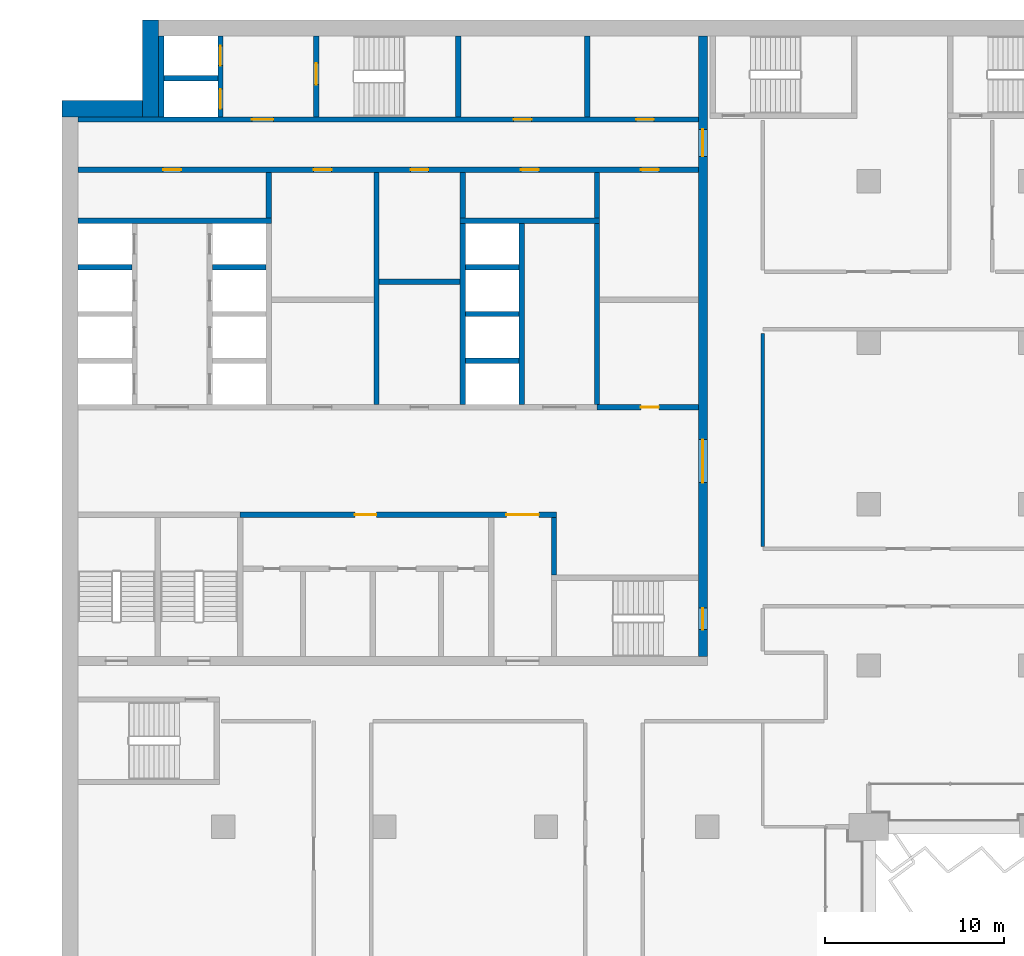
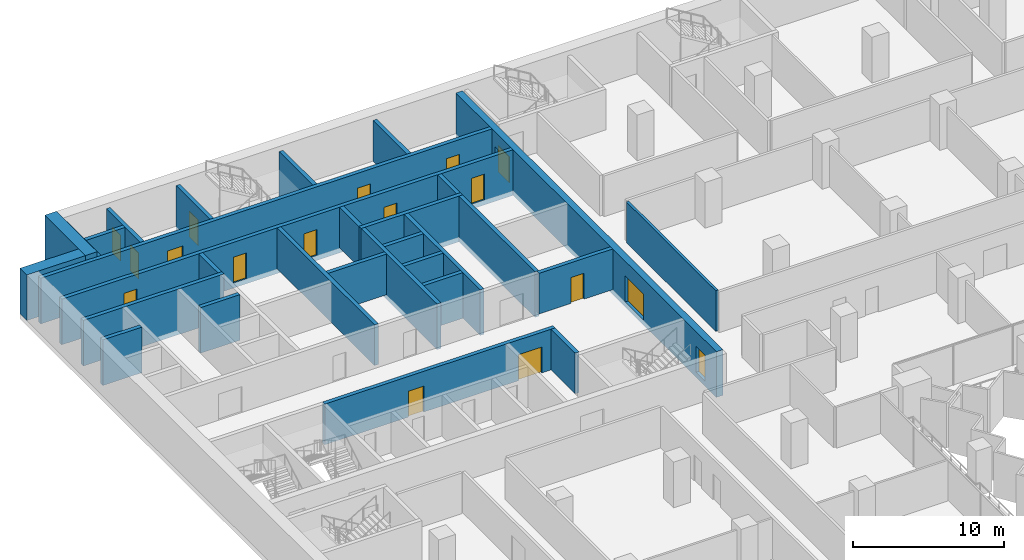
# One storey, part 13 of 22: 30 walls, 17 doors, 17 openings.
"""IFC4 building model written with IfcOpenShell, lengths in metres."""

import ifcopenshell
import ifcopenshell.guid

model = None  # the IFC model being written
_history = None  # IfcOwnerHistory: only IFC2X3 demands one
_inside = {}  # id of a spatial element -> (the spatial element, [elements in it])
_under = {}  # id of a project, library or spatial element -> (it, [spatial elements below it])
_declared = {}  # id of a project -> (the project, [libraries it declares])
_typed = {}  # id of a type object -> (the type object, [elements of that type])
_made_of = {}  # id of a material, layer set ... -> (it, [elements and type objects made of it])


def new_model(schema):
    """Start an empty IFC model of exactly this schema.

    Asked for "IFC4X3", IfcOpenShell would pick the latest addendum, in which some entities
    have other attributes; the version numbers below select the first issue.
    IFC2X3 requires an IfcOwnerHistory on every rooted entity: one is made here for all.
    """
    global model, _history
    if schema == "IFC4X3":
        model = ifcopenshell.file(schema_version=(4, 3, 0, 0))
    else:
        model = ifcopenshell.file(schema=schema)
    _inside.clear()
    _under.clear()
    _declared.clear()
    _typed.clear()
    _made_of.clear()
    _history = None
    if model.schema == "IFC2X3":
        org = make("IfcOrganization", Name="unknown")
        user = make(
            "IfcPersonAndOrganization",
            ThePerson=make("IfcPerson", FamilyName="unknown"),
            TheOrganization=org,
        )
        app = make(
            "IfcApplication",
            ApplicationDeveloper=org,
            Version="unknown",
            ApplicationFullName="unknown",
            ApplicationIdentifier="unknown",
        )
        _history = make(
            "IfcOwnerHistory",
            OwningUser=user,
            OwningApplication=app,
            ChangeAction="ADDED",
            CreationDate=0,
        )
    return model


def make(cls, **values):
    """One entity of the class cls with the attributes given. An attribute that is None is left unset."""
    return model.create_entity(
        cls, **{name: value for name, value in values.items() if value is not None}
    )


def rooted(cls, **values):
    """An entity with a GlobalId (a new one), such as an element, a storey or a relation."""
    return make(cls, GlobalId=ifcopenshell.guid.new(), OwnerHistory=_history, **values)


def si_unit(unit_type, name, prefix=None):
    """IfcSIUnit, for example si_unit("LENGTHUNIT", "METRE", prefix="MILLI")."""
    return make("IfcSIUnit", UnitType=unit_type, Prefix=prefix, Name=name)


def assignment(units):
    """IfcUnitAssignment: the units of a project."""
    return None if units is None else make("IfcUnitAssignment", Units=units)


def point(xyz):
    """IfcCartesianPoint."""
    return None if xyz is None else make("IfcCartesianPoint", Coordinates=xyz)


def direction(xyz):
    """IfcDirection."""
    return None if xyz is None else make("IfcDirection", DirectionRatios=xyz)


def frame(location, z_axis=None, x_axis=None):
    """IfcAxis2Placement3D, a coordinate frame: its origin and axes. An axis left out is left unset."""
    return make(
        "IfcAxis2Placement3D",
        Location=point(location),
        Axis=direction(z_axis),
        RefDirection=direction(x_axis),
    )


def frame_2d(location, x_axis=None):
    """IfcAxis2Placement2D, a coordinate frame in the plane: its origin and x axis."""
    return make(
        "IfcAxis2Placement2D", Location=point(location), RefDirection=direction(x_axis)
    )


def origin():
    """The frame at (0, 0, 0) with its axes left unset."""
    return frame((0.0, 0.0, 0.0))


def place(relative_to, where):
    """IfcLocalPlacement: puts the frame where relative to a parent placement (None: the world)."""
    return make(
        "IfcLocalPlacement", PlacementRelTo=relative_to, RelativePlacement=where
    )


def context(
    kind, dimensions, precision=None, world=None, true_north=None, identifier=None
):
    """IfcGeometricRepresentationContext, for example the 3D "Model" context."""
    return make(
        "IfcGeometricRepresentationContext",
        ContextIdentifier=identifier,
        ContextType=kind,
        CoordinateSpaceDimension=dimensions,
        Precision=precision,
        WorldCoordinateSystem=world,
        TrueNorth=true_north,
    )


def subcontext(parent, identifier, kind, view, scale=None):
    """IfcGeometricRepresentationSubContext, for example "Body" below "Model"."""
    return make(
        "IfcGeometricRepresentationSubContext",
        ContextIdentifier=identifier,
        ContextType=kind,
        ParentContext=parent,
        TargetScale=scale,
        TargetView=view,
    )


def project(units=None, contexts=None):
    """IfcProject with its units and contexts."""
    return rooted(
        "IfcProject",
        Name="project",
        RepresentationContexts=contexts,
        UnitsInContext=assignment(units),
    )


def spatial(cls, under=None, at=None, **own):
    """A site, building, storey or space (cls), placed at a placement, below another one or the project."""
    s = rooted(cls, ObjectPlacement=at, **own)
    if under is not None:
        _under.setdefault(under.id(), (under, []))[1].append(s)
    return s


def profile(cls, at=None, kind="AREA", **sizes):
    """A parametric profile (cls). Its sizes go by their IFC names, for example OverallWidth=200.0."""
    return make(cls, ProfileType=kind, Position=at, **sizes)


def rectangle(**sizes):
    """IfcRectangleProfileDef."""
    return profile("IfcRectangleProfileDef", **sizes)


def extrude(swept, where, along, depth):
    """IfcExtrudedAreaSolid: the profile swept, set in the frame where, extruded along a direction by depth."""
    return make(
        "IfcExtrudedAreaSolid",
        SweptArea=swept,
        Position=where,
        ExtrudedDirection=direction(along),
        Depth=depth,
    )


def shape(context_of_items, identifier, shape_type, items):
    """IfcShapeRepresentation: the items that make up one representation, for example the "Body"."""
    return make(
        "IfcShapeRepresentation",
        ContextOfItems=context_of_items,
        RepresentationIdentifier=identifier,
        RepresentationType=shape_type,
        Items=items,
    )


def material(Name=None, Category=None):
    """IfcMaterial."""
    return make("IfcMaterial", Name=Name, Category=Category)


def layer(
    of_material, thickness, ventilated=None, Name=None, Category=None, Priority=None
):
    """IfcMaterialLayer: one layer of a wall or slab, of a material (None: an air gap)."""
    return make(
        "IfcMaterialLayer",
        Material=of_material,
        LayerThickness=thickness,
        IsVentilated=ventilated,
        Name=Name,
        Category=Category,
        Priority=Priority,
    )


def layer_set(layers, Name=None):
    """IfcMaterialLayerSet."""
    return make("IfcMaterialLayerSet", MaterialLayers=layers, LayerSetName=Name)


def made_of(thing, what):
    """Note that an element or type object is made of a material, layer set ...; save() writes the relation."""
    if what is not None:
        _made_of.setdefault(what.id(), (what, []))[1].append(thing)
    return thing


def type_object(cls, material=None, **own):
    """A type object (cls), such as IfcWallType, which elements share."""
    return made_of(rooted(cls, **own), material)


def element(
    cls,
    number,
    at=None,
    inside=None,
    cuts=None,
    type_object=None,
    material=None,
    context=None,
    identifier="Body",
    shape_type=None,
    held_by="IfcProductDefinitionShape",
    body=None,
    shapes=None,
    **own,
):
    """One element of the class cls, such as IfcWall. Its Tag is "e" and its number.

    at: its placement. inside: the storey or other place that contains it. cuts: it is an
    opening in that element (IfcRelVoidsElement). A single representation is given by context,
    identifier, shape_type and body (its items); several are given by shapes. held_by: the class
    of the entity that holds the representations. save() writes the other relations.
    """
    e = rooted(cls, Tag="e%d" % number, ObjectPlacement=at, **own)
    if body is not None:
        shapes = [shape(context, identifier, shape_type, body)]
    if shapes is not None:
        e.Representation = make(held_by, Representations=shapes)
    if inside is not None:
        _inside.setdefault(inside.id(), (inside, []))[1].append(e)
    if cuts is not None:
        rooted(
            "IfcRelVoidsElement", RelatingBuildingElement=cuts, RelatedOpeningElement=e
        )
    if type_object is not None:
        _typed.setdefault(type_object.id(), (type_object, []))[1].append(e)
    return made_of(e, material)


def fill(opening, filler):
    """IfcRelFillsElement: the door or window that sits in an opening."""
    return rooted(
        "IfcRelFillsElement",
        RelatingOpeningElement=opening,
        RelatedBuildingElement=filler,
    )


def aggregate(whole, parts):
    """IfcRelAggregates: a whole, such as a stair, and the parts it consists of."""
    return rooted("IfcRelAggregates", RelatingObject=whole, RelatedObjects=parts)


def save(model, path):
    """Write the relations noted so far, then the file.

    IfcRelAggregates (storeys below a building ...), IfcRelContainedInSpatialStructure (elements
    in a storey), IfcRelDefinesByType, IfcRelAssociatesMaterial and IfcRelDeclares: one each for
    every whole, place, type object, material and project.
    """
    for whole, parts in _under.values():
        aggregate(whole, parts)
    for where, things in _inside.values():
        rooted(
            "IfcRelContainedInSpatialStructure",
            RelatedElements=things,
            RelatingStructure=where,
        )
    for kind, things in _typed.values():
        rooted("IfcRelDefinesByType", RelatedObjects=things, RelatingType=kind)
    for what, things in _made_of.values():
        rooted("IfcRelAssociatesMaterial", RelatedObjects=things, RelatingMaterial=what)
    for by, libraries in _declared.values():
        rooted("IfcRelDeclares", RelatingContext=by, RelatedDefinitions=libraries)
    model.write(path)


model = new_model("IFC4")

# Units and contexts
model_context = context("Model", 3, precision=1e-05, world=origin(), true_north=direction((0.0, 1.0)))
body_context = subcontext(model_context, "Body", "Model", "MODEL_VIEW")
ifc_project = project(units=[si_unit("LENGTHUNIT", "METRE"), si_unit("AREAUNIT", "SQUARE_METRE"), si_unit("VOLUMEUNIT", "CUBIC_METRE"), si_unit("PLANEANGLEUNIT", "RADIAN"), si_unit("MASSUNIT", "GRAM", prefix="KILO")], contexts=[model_context])

# Site, building, storey
site_placement = place(None, origin())
site = spatial("IfcSite", under=ifc_project, at=site_placement, CompositionType="ELEMENT")
building_placement = place(site_placement, origin())
building = spatial("IfcBuilding", under=site, at=building_placement, Name="Hunhe Ridgeline Campus", CompositionType="ELEMENT")
storey_placement = place(building_placement, frame((0.0, 0.0, 118.10009765625)))
storey = spatial("IfcBuildingStorey", under=building, at=storey_placement, Name="L29", CompositionType="ELEMENT", Elevation=118.10009765625)

# Wall, openings, doors
ifc_material_1 = material(Name="Masonry concrete blockwork", Category="masonry")
ifc_layer_1 = layer(ifc_material_1, 0.300048828125)
ifc_layer_set_1 = layer_set([ifc_layer_1], Name="Core room partition 300 concrete block")
wall_type_1 = type_object("IfcWallType", Name="Core room partition 300 concrete block", PredefinedType="PARTITIONING", material=ifc_layer_set_1)
wall_1_placement = place(storey_placement, frame((9.949951171875, 71.39990234375, 0.0), z_axis=(0.0, 0.0, 1.0), x_axis=(1.0, 0.0, 0.0)))
wall_1 = element("IfcWall", 1, at=wall_1_placement, inside=storey, type_object=wall_type_1, Name="L29 core partition 11", PredefinedType="PARTITIONING", context=body_context, shape_type="SweptSolid", body=[
    extrude(rectangle(XDim=17.650146484375, YDim=0.300048828125, at=frame_2d((8.8251953125, 0.0))), origin(), (0.0, 0.0, 1.0), 3.2998046875),
])
opening_1_placement = place(wall_1_placement, frame((14.85009765625, 0.0, 0.0)))
opening_1 = element("IfcOpeningElement", 2, at=opening_1_placement, cuts=wall_1, Name="Opening CD7", PredefinedType="OPENING", context=body_context, shape_type="SweptSolid", body=[
    extrude(rectangle(XDim=1.800048828125, YDim=2.10009765625, at=frame_2d((0.89990234375, 1.050048828125))), frame((0.0, 0.14990234375, 0.0), z_axis=(0.0, -1.0, 0.0), x_axis=(1.0, 0.0, 0.0)), (0.0, 0.0, 1.0), 0.300048828125),
])
opening_2_placement = place(wall_1_placement, frame((6.39990234375, 0.0, 0.0)))
opening_2 = element("IfcOpeningElement", 3, at=opening_2_placement, cuts=wall_1, Name="Opening CD37", PredefinedType="OPENING", context=body_context, shape_type="SweptSolid", body=[
    extrude(rectangle(XDim=1.199951171875, YDim=2.10009765625, at=frame_2d((0.60009765625, 1.050048828125))), frame((0.0, 0.14990234375, 0.0), z_axis=(0.0, -1.0, 0.0), x_axis=(1.0, 0.0, 0.0)), (0.0, 0.0, 1.0), 0.300048828125),
])
ifc_material_2 = material(Name="Anodised aluminium and glass", Category="aluminium")
door_type_1 = type_object("IfcDoorType", Name="Glazed double door 1800x2100", OperationType="DOUBLE_DOOR_SINGLE_SWING", PredefinedType="DOOR", material=ifc_material_2)
door_1_placement = place(opening_1_placement, origin())
door_1 = element("IfcDoor", 4, at=door_1_placement, inside=storey, type_object=door_type_1, Name="L29 door VEST-HALL", OperationType="DOUBLE_DOOR_SINGLE_SWING", OverallHeight=2.10009765625, OverallWidth=1.800048828125, PredefinedType="DOOR", context=body_context, shape_type="SweptSolid", body=[
    extrude(rectangle(XDim=1.800048828125, YDim=2.10009765625, at=frame_2d((0.89990234375, 1.050048828125))), frame((0.0, 0.02490234375, 0.0), z_axis=(0.0, -1.0, 0.0), x_axis=(1.0, 0.0, 0.0)), (0.0, 0.0, 1.0), 0.050048828125),
])
fill(opening_1, door_1)
ifc_material_3 = material(Name="Solid core timber door leaf", Category="wood")
door_type_2 = type_object("IfcDoorType", Name="Timber door 1200x2100", OperationType="SINGLE_SWING_LEFT", PredefinedType="DOOR", material=ifc_material_3)
door_2_placement = place(opening_2_placement, origin())
door_2 = element("IfcDoor", 5, at=door_2_placement, inside=storey, type_object=door_type_2, Name="L29 door WCL1-HALL", OperationType="SINGLE_SWING_LEFT", OverallHeight=2.10009765625, OverallWidth=1.199951171875, PredefinedType="DOOR", context=body_context, shape_type="SweptSolid", body=[
    extrude(rectangle(XDim=1.199951171875, YDim=2.10009765625, at=frame_2d((0.60009765625, 1.050048828125))), frame((0.0, 0.02490234375, 0.0), z_axis=(0.0, -1.0, 0.0), x_axis=(1.0, 0.0, 0.0)), (0.0, 0.0, 1.0), 0.050048828125),
])
fill(opening_2, door_2)

# Wall, opening, door
wall_2_placement = place(storey_placement, frame((29.85009765625, 77.39990234375, 0.0), z_axis=(0.0, 0.0, 1.0), x_axis=(1.0, 0.0, 0.0)))
wall_2 = element("IfcWall", 6, at=wall_2_placement, inside=storey, type_object=wall_type_1, Name="L29 core partition 13", PredefinedType="PARTITIONING", context=body_context, shape_type="SweptSolid", body=[
    extrude(rectangle(XDim=5.64990234375, YDim=0.300048828125, at=frame_2d((2.824951171875, 0.0))), origin(), (0.0, 0.0, 1.0), 3.2998046875),
])
opening_3_placement = place(wall_2_placement, frame((2.449951171875, 0.0, 0.0)))
opening_3 = element("IfcOpeningElement", 7, at=opening_3_placement, cuts=wall_2, Name="Opening CD32", PredefinedType="OPENING", context=body_context, shape_type="SweptSolid", body=[
    extrude(rectangle(XDim=1.0, YDim=2.10009765625, at=frame_2d((0.5, 1.050048828125))), frame((0.0, 0.14990234375, 0.0), z_axis=(0.0, -1.0, 0.0), x_axis=(1.0, 0.0, 0.0)), (0.0, 0.0, 1.0), 0.300048828125),
])
door_type_3 = type_object("IfcDoorType", Name="Timber door 1000x2100", OperationType="SINGLE_SWING_LEFT", PredefinedType="DOOR", material=ifc_material_3)
door_3_placement = place(opening_3_placement, origin())
door_3 = element("IfcDoor", 8, at=door_3_placement, inside=storey, type_object=door_type_3, Name="L29 door ES0", OperationType="SINGLE_SWING_RIGHT", OverallHeight=2.10009765625, OverallWidth=1.0, PredefinedType="DOOR", context=body_context, shape_type="SweptSolid", body=[
    extrude(rectangle(XDim=1.0, YDim=2.10009765625, at=frame_2d((0.5, 1.050048828125))), frame((0.0, 0.02490234375, 0.0), z_axis=(0.0, -1.0, 0.0), x_axis=(1.0, 0.0, 0.0)), (0.0, 0.0, 1.0), 0.050048828125),
])
fill(opening_3, door_3)

# Walls
wall_3_placement = place(storey_placement, frame((17.699951171875, 84.39990234375, 0.0), z_axis=(0.0, 0.0, 1.0), x_axis=(1.0, 0.0, 0.0)))
element("IfcWall", 9, at=wall_3_placement, inside=storey, type_object=wall_type_1, Name="L29 core partition 22", PredefinedType="PARTITIONING", context=body_context, shape_type="SweptSolid", body=[
    extrude(rectangle(XDim=4.5, YDim=0.300048828125, at=frame_2d((2.25, 0.0))), origin(), (0.0, 0.0, 1.0), 3.2998046875),
])
wall_4_placement = place(storey_placement, frame((11.550048828125, 87.949951171875, 0.0), z_axis=(0.0, 0.0, 1.0), x_axis=(0.0, 1.0, 0.0)))
element("IfcWall", 10, at=wall_4_placement, inside=storey, type_object=wall_type_1, Name="L29 core partition 43", PredefinedType="PARTITIONING", context=body_context, shape_type="SweptSolid", body=[
    extrude(rectangle(XDim=2.550048828125, YDim=0.300048828125, at=frame_2d((1.27490234375, 0.0))), origin(), (0.0, 0.0, 1.0), 3.2998046875),
])
wall_5_placement = place(storey_placement, frame((17.550048828125, 77.550048828125, 0.0), z_axis=(0.0, 0.0, 1.0), x_axis=(0.0, 1.0, 0.0)))
element("IfcWall", 11, at=wall_5_placement, inside=storey, type_object=wall_type_1, Name="L29 core partition 47", PredefinedType="PARTITIONING", context=body_context, shape_type="SweptSolid", body=[
    extrude(rectangle(XDim=12.949951171875, YDim=0.300048828125, at=frame_2d((6.47509765625, 0.0))), origin(), (0.0, 0.0, 1.0), 3.2998046875),
])
wall_6_placement = place(storey_placement, frame((22.35009765625, 87.949951171875, 0.0), z_axis=(0.0, 0.0, 1.0), x_axis=(0.0, 1.0, 0.0)))
element("IfcWall", 12, at=wall_6_placement, inside=storey, type_object=wall_type_1, Name="L29 core partition 52", PredefinedType="PARTITIONING", context=body_context, shape_type="SweptSolid", body=[
    extrude(rectangle(XDim=2.550048828125, YDim=0.300048828125, at=frame_2d((1.27490234375, 0.0))), origin(), (0.0, 0.0, 1.0), 3.2998046875),
])
wall_7_placement = place(storey_placement, frame((27.449951171875, 68.050048828125, 0.0), z_axis=(0.0, 0.0, 1.0), x_axis=(0.0, 1.0, 0.0)))
element("IfcWall", 13, at=wall_7_placement, inside=storey, type_object=wall_type_1, Name="L29 core partition 57", PredefinedType="PARTITIONING", context=body_context, shape_type="SweptSolid", body=[
    extrude(rectangle(XDim=3.199951171875, YDim=0.300048828125, at=frame_2d((1.60009765625, 0.0))), origin(), (0.0, 0.0, 1.0), 3.2998046875),
])
wall_8_placement = place(storey_placement, frame((29.300048828125, 93.60009765625, 0.0), z_axis=(0.0, 0.0, 1.0), x_axis=(0.0, 1.0, 0.0)))
element("IfcWall", 14, at=wall_8_placement, inside=storey, type_object=wall_type_1, Name="L29 core partition 58", PredefinedType="PARTITIONING", context=body_context, shape_type="SweptSolid", body=[
    extrude(rectangle(XDim=4.5, YDim=0.300048828125, at=frame_2d((2.25, 0.0))), origin(), (0.0, 0.0, 1.0), 3.2998046875),
])
wall_9_placement = place(storey_placement, frame((29.85009765625, 87.949951171875, 0.0), z_axis=(0.0, 0.0, 1.0), x_axis=(0.0, 1.0, 0.0)))
element("IfcWall", 15, at=wall_9_placement, inside=storey, type_object=wall_type_1, Name="L29 core partition 60", PredefinedType="PARTITIONING", context=body_context, shape_type="SweptSolid", body=[
    extrude(rectangle(XDim=2.550048828125, YDim=0.300048828125, at=frame_2d((1.27490234375, 0.0))), origin(), (0.0, 0.0, 1.0), 3.2998046875),
])

# Wall, openings, doors
ifc_material_4 = material(Name="Concrete C80", Category="concrete")
ifc_layer_2 = layer(ifc_material_4, 0.5)
ifc_layer_set_2 = layer_set([ifc_layer_2], Name="Core wall 500 reinforced concrete C80")
wall_type_2 = type_object("IfcWallType", Name="Core wall 500 reinforced concrete C80", PredefinedType="SOLIDWALL", material=ifc_layer_set_2)
wall_10_placement = place(storey_placement, frame((35.75, 63.5, -0.400146484375), z_axis=(0.0, 0.0, 1.0), x_axis=(0.0, 1.0, 0.0)))
wall_10 = element("IfcWall", 16, at=wall_10_placement, inside=storey, type_object=wall_type_2, Name="L29 core wall 61", PredefinedType="SOLIDWALL", context=body_context, shape_type="SweptSolid", body=[
    extrude(rectangle(XDim=34.60009765625, YDim=0.5, at=frame_2d((17.300048828125, 0.0))), origin(), (0.0, 0.0, 1.0), 3.699951171875),
])
opening_4_placement = place(wall_10_placement, frame((9.699951171875, 0.0, 0.39990234375)))
opening_4 = element("IfcOpeningElement", 17, at=opening_4_placement, cuts=wall_10, Name="Opening CD4", PredefinedType="OPENING", context=body_context, shape_type="SweptSolid", body=[
    extrude(rectangle(XDim=2.39990234375, YDim=2.10009765625, at=frame_2d((1.199951171875, 1.050048828125))), frame((0.0, 0.25, 0.0), z_axis=(0.0, -1.0, 0.0), x_axis=(1.0, 0.0, 0.0)), (0.0, 0.0, 1.0), 0.5),
])
opening_5_placement = place(wall_10_placement, frame((27.89990234375, 0.0, 0.39990234375)))
opening_5 = element("IfcOpeningElement", 18, at=opening_5_placement, cuts=wall_10, Name="Opening CD5", PredefinedType="OPENING", context=body_context, shape_type="SweptSolid", body=[
    extrude(rectangle(XDim=1.5, YDim=2.10009765625, at=frame_2d((0.75, 1.050048828125))), frame((0.0, 0.25, 0.0), z_axis=(0.0, -1.0, 0.0), x_axis=(1.0, 0.0, 0.0)), (0.0, 0.0, 1.0), 0.5),
])
opening_6_placement = place(wall_10_placement, frame((1.5, 0.0, 0.39990234375)))
opening_6 = element("IfcOpeningElement", 19, at=opening_6_placement, cuts=wall_10, Name="Opening CD15", PredefinedType="OPENING", context=body_context, shape_type="SweptSolid", body=[
    extrude(rectangle(XDim=1.199951171875, YDim=2.10009765625, at=frame_2d((0.60009765625, 1.050048828125))), frame((0.0, 0.25, 0.0), z_axis=(0.0, -1.0, 0.0), x_axis=(1.0, 0.0, 0.0)), (0.0, 0.0, 1.0), 0.5),
])
door_type_4 = type_object("IfcDoorType", Name="Glazed double door 2400x2100", OperationType="DOUBLE_DOOR_SINGLE_SWING", PredefinedType="DOOR", material=ifc_material_2)
door_4_placement = place(opening_4_placement, frame((2.39990234375, 0.0, 0.0), z_axis=(0.0, 0.0, 1.0), x_axis=(-1.0, 0.0, 0.0)))
door_4 = element("IfcDoor", 20, at=door_4_placement, inside=storey, type_object=door_type_4, Name="L29 door HALL-FLOOR", OperationType="DOUBLE_DOOR_SINGLE_SWING", OverallHeight=2.10009765625, OverallWidth=2.39990234375, PredefinedType="DOOR", context=body_context, shape_type="SweptSolid", body=[
    extrude(rectangle(XDim=2.39990234375, YDim=2.10009765625, at=frame_2d((1.199951171875, 1.050048828125))), frame((0.0, 0.02490234375, 0.0), z_axis=(0.0, -1.0, 0.0), x_axis=(1.0, 0.0, 0.0)), (0.0, 0.0, 1.0), 0.050048828125),
])
fill(opening_4, door_4)
ifc_material_5 = material(Name="Hollow metal fire door leaf")
door_type_5 = type_object("IfcDoorType", Name="Stair door 1200x2100 FD60", OperationType="SINGLE_SWING_LEFT", PredefinedType="DOOR", material=ifc_material_5)
door_5_placement = place(opening_6_placement, frame((1.199951171875, 0.0, 0.0), z_axis=(0.0, 0.0, 1.0), x_axis=(-1.0, 0.0, 0.0)))
door_5 = element("IfcDoor", 21, at=door_5_placement, inside=storey, type_object=door_type_5, Name="L29 door S2-FLOOR", OperationType="SINGLE_SWING_RIGHT", OverallHeight=2.10009765625, OverallWidth=1.199951171875, PredefinedType="DOOR", context=body_context, shape_type="SweptSolid", body=[
    extrude(rectangle(XDim=1.199951171875, YDim=2.10009765625, at=frame_2d((0.60009765625, 1.050048828125))), frame((0.0, 0.02490234375, 0.0), z_axis=(0.0, -1.0, 0.0), x_axis=(1.0, 0.0, 0.0)), (0.0, 0.0, 1.0), 0.050048828125),
])
fill(opening_6, door_5)
door_type_6 = type_object("IfcDoorType", Name="Timber door 1500x2100", OperationType="SINGLE_SWING_LEFT", PredefinedType="DOOR", material=ifc_material_3)
door_6_placement = place(opening_5_placement, frame((1.5, 0.0, 0.0), z_axis=(0.0, 0.0, 1.0), x_axis=(-1.0, 0.0, 0.0)))
door_6 = element("IfcDoor", 22, at=door_6_placement, inside=storey, type_object=door_type_6, Name="L29 door C1-FLOOR", OperationType="SINGLE_SWING_RIGHT", OverallHeight=2.10009765625, OverallWidth=1.5, PredefinedType="DOOR", context=body_context, shape_type="SweptSolid", body=[
    extrude(rectangle(XDim=1.5, YDim=2.10009765625, at=frame_2d((0.75, 1.050048828125))), frame((0.0, 0.02490234375, 0.0), z_axis=(0.0, -1.0, 0.0), x_axis=(1.0, 0.0, 0.0)), (0.0, 0.0, 1.0), 0.050048828125),
])
fill(opening_5, door_6)

# Wall
ifc_material_6 = material(Name="Gypsum board partition")
ifc_layer_3 = layer(ifc_material_6, 0.199951171875)
ifc_layer_set_3 = layer_set([ifc_layer_3], Name="Corridor partition 200 gypsum board on steel studs")
wall_type_3 = type_object("IfcWallType", Name="Corridor partition 200 gypsum board on steel studs", PredefinedType="PARTITIONING", material=ifc_layer_set_3)
wall_11_placement = place(storey_placement, frame((39.10009765625, 81.517578125, 0.0), z_axis=(0.0, 0.0, 1.0), x_axis=(0.0, -1.0, 0.0)))
element("IfcWall", 23, at=wall_11_placement, inside=storey, type_object=wall_type_3, Name="F-L29-wall-051", PredefinedType="PARTITIONING", context=body_context, shape_type="SweptSolid", body=[
    extrude(rectangle(XDim=11.87841796875, YDim=0.199951171875, at=frame_2d((5.939208984375, 0.0))), origin(), (0.0, 0.0, 1.0), 3.2998046875),
])

# Wall, openings, doors
ifc_layer_4 = layer(ifc_material_4, 0.300048828125)
ifc_layer_set_4 = layer_set([ifc_layer_4], Name="Lobby wall 300 reinforced concrete C80")
wall_type_4 = type_object("IfcWallType", Name="Lobby wall 300 reinforced concrete C80", PredefinedType="SOLIDWALL", material=ifc_layer_set_4)
wall_12_placement = place(storey_placement, frame((0.89990234375, 90.64990234375, -0.400146484375), z_axis=(0.0, 0.0, 1.0), x_axis=(1.0, 0.0, 0.0)))
wall_12 = element("IfcWall", 24, at=wall_12_placement, inside=storey, type_object=wall_type_4, Name="L29 core wall 28", PredefinedType="SOLIDWALL", context=body_context, shape_type="SweptSolid", body=[
    extrude(rectangle(XDim=34.60009765625, YDim=0.300048828125, at=frame_2d((17.300048828125, 0.0))), origin(), (0.0, 0.0, 1.0), 3.699951171875),
])
opening_7_placement = place(wall_12_placement, frame((4.75, 0.0, 0.39990234375)))
opening_7 = element("IfcOpeningElement", 25, at=opening_7_placement, cuts=wall_12, Name="Opening CD26", PredefinedType="OPENING", context=body_context, shape_type="SweptSolid", body=[
    extrude(rectangle(XDim=1.0, YDim=2.10009765625, at=frame_2d((0.5, 1.050048828125))), frame((0.0, 0.14990234375, 0.0), z_axis=(0.0, -1.0, 0.0), x_axis=(1.0, 0.0, 0.0)), (0.0, 0.0, 1.0), 0.300048828125),
])
opening_8_placement = place(wall_12_placement, frame((24.699951171875, 0.0, 0.39990234375)))
opening_8 = element("IfcOpeningElement", 26, at=opening_8_placement, cuts=wall_12, Name="Opening CD27", PredefinedType="OPENING", context=body_context, shape_type="SweptSolid", body=[
    extrude(rectangle(XDim=1.0, YDim=2.10009765625, at=frame_2d((0.5, 1.050048828125))), frame((0.0, 0.14990234375, 0.0), z_axis=(0.0, -1.0, 0.0), x_axis=(1.0, 0.0, 0.0)), (0.0, 0.0, 1.0), 0.300048828125),
])
opening_9_placement = place(wall_12_placement, frame((13.14990234375, 0.0, 0.39990234375)))
opening_9 = element("IfcOpeningElement", 27, at=opening_9_placement, cuts=wall_12, Name="Opening CD29", PredefinedType="OPENING", context=body_context, shape_type="SweptSolid", body=[
    extrude(rectangle(XDim=1.0, YDim=2.10009765625, at=frame_2d((0.5, 1.050048828125))), frame((0.0, 0.14990234375, 0.0), z_axis=(0.0, -1.0, 0.0), x_axis=(1.0, 0.0, 0.0)), (0.0, 0.0, 1.0), 0.300048828125),
])
opening_10_placement = place(wall_12_placement, frame((18.550048828125, 0.0, 0.39990234375)))
opening_10 = element("IfcOpeningElement", 28, at=opening_10_placement, cuts=wall_12, Name="Opening CD31", PredefinedType="OPENING", context=body_context, shape_type="SweptSolid", body=[
    extrude(rectangle(XDim=1.0, YDim=2.10009765625, at=frame_2d((0.5, 1.050048828125))), frame((0.0, 0.14990234375, 0.0), z_axis=(0.0, -1.0, 0.0), x_axis=(1.0, 0.0, 0.0)), (0.0, 0.0, 1.0), 0.300048828125),
])
opening_11_placement = place(wall_12_placement, frame((31.39990234375, 0.0, 0.39990234375)))
opening_11 = element("IfcOpeningElement", 29, at=opening_11_placement, cuts=wall_12, Name="Opening CD33", PredefinedType="OPENING", context=body_context, shape_type="SweptSolid", body=[
    extrude(rectangle(XDim=1.0, YDim=2.10009765625, at=frame_2d((0.5, 1.050048828125))), frame((0.0, 0.14990234375, 0.0), z_axis=(0.0, -1.0, 0.0), x_axis=(1.0, 0.0, 0.0)), (0.0, 0.0, 1.0), 0.300048828125),
])
door_7_placement = place(opening_7_placement, frame((1.0, 0.0, 0.0), z_axis=(0.0, 0.0, 1.0), x_axis=(-1.0, 0.0, 0.0)))
door_7 = element("IfcDoor", 30, at=door_7_placement, inside=storey, type_object=door_type_3, Name="L29 door NR-0", OperationType="SINGLE_SWING_RIGHT", OverallHeight=2.10009765625, OverallWidth=1.0, PredefinedType="DOOR", context=body_context, shape_type="SweptSolid", body=[
    extrude(rectangle(XDim=1.0, YDim=2.10009765625, at=frame_2d((0.5, 1.050048828125))), frame((0.0, 0.02490234375, 0.0), z_axis=(0.0, -1.0, 0.0), x_axis=(1.0, 0.0, 0.0)), (0.0, 0.0, 1.0), 0.050048828125),
])
fill(opening_7, door_7)
door_8_placement = place(opening_8_placement, frame((1.0, 0.0, 0.0), z_axis=(0.0, 0.0, 1.0), x_axis=(-1.0, 0.0, 0.0)))
door_8 = element("IfcDoor", 31, at=door_8_placement, inside=storey, type_object=door_type_3, Name="L29 door NR-1", OperationType="SINGLE_SWING_LEFT", OverallHeight=2.10009765625, OverallWidth=1.0, PredefinedType="DOOR", context=body_context, shape_type="SweptSolid", body=[
    extrude(rectangle(XDim=1.0, YDim=2.10009765625, at=frame_2d((0.5, 1.050048828125))), frame((0.0, 0.02490234375, 0.0), z_axis=(0.0, -1.0, 0.0), x_axis=(1.0, 0.0, 0.0)), (0.0, 0.0, 1.0), 0.050048828125),
])
fill(opening_8, door_8)
door_9_placement = place(opening_9_placement, frame((1.0, 0.0, 0.0), z_axis=(0.0, 0.0, 1.0), x_axis=(-1.0, 0.0, 0.0)))
door_9 = element("IfcDoor", 32, at=door_9_placement, inside=storey, type_object=door_type_3, Name="L29 door VD-HR1", OperationType="SINGLE_SWING_LEFT", OverallHeight=2.10009765625, OverallWidth=1.0, PredefinedType="DOOR", context=body_context, shape_type="SweptSolid", body=[
    extrude(rectangle(XDim=1.0, YDim=2.10009765625, at=frame_2d((0.5, 1.050048828125))), frame((0.0, 0.02490234375, 0.0), z_axis=(0.0, -1.0, 0.0), x_axis=(1.0, 0.0, 0.0)), (0.0, 0.0, 1.0), 0.050048828125),
])
fill(opening_9, door_9)
door_10_placement = place(opening_10_placement, frame((1.0, 0.0, 0.0), z_axis=(0.0, 0.0, 1.0), x_axis=(-1.0, 0.0, 0.0)))
door_10 = element("IfcDoor", 33, at=door_10_placement, inside=storey, type_object=door_type_3, Name="L29 door VD-HR3", OperationType="SINGLE_SWING_LEFT", OverallHeight=2.10009765625, OverallWidth=1.0, PredefinedType="DOOR", context=body_context, shape_type="SweptSolid", body=[
    extrude(rectangle(XDim=1.0, YDim=2.10009765625, at=frame_2d((0.5, 1.050048828125))), frame((0.0, 0.02490234375, 0.0), z_axis=(0.0, -1.0, 0.0), x_axis=(1.0, 0.0, 0.0)), (0.0, 0.0, 1.0), 0.050048828125),
])
fill(opening_10, door_10)
door_11_placement = place(opening_11_placement, frame((1.0, 0.0, 0.0), z_axis=(0.0, 0.0, 1.0), x_axis=(-1.0, 0.0, 0.0)))
door_11 = element("IfcDoor", 34, at=door_11_placement, inside=storey, type_object=door_type_3, Name="L29 door ES1", OperationType="SINGLE_SWING_RIGHT", OverallHeight=2.10009765625, OverallWidth=1.0, PredefinedType="DOOR", context=body_context, shape_type="SweptSolid", body=[
    extrude(rectangle(XDim=1.0, YDim=2.10009765625, at=frame_2d((0.5, 1.050048828125))), frame((0.0, 0.02490234375, 0.0), z_axis=(0.0, -1.0, 0.0), x_axis=(1.0, 0.0, 0.0)), (0.0, 0.0, 1.0), 0.050048828125),
])
fill(opening_11, door_11)

# Walls
wall_13_placement = place(storey_placement, frame((29.85009765625, 77.550048828125, -0.400146484375), z_axis=(0.0, 0.0, 1.0), x_axis=(0.0, 1.0, 0.0)))
element("IfcWall", 35, at=wall_13_placement, inside=storey, type_object=wall_type_4, Name="L29 core wall 59", PredefinedType="SOLIDWALL", context=body_context, shape_type="SweptSolid", body=[
    extrude(rectangle(XDim=10.099853515625, YDim=0.300048828125, at=frame_2d((5.0498046875, 0.0))), origin(), (0.0, 0.0, 1.0), 3.699951171875),
])
ifc_layer_5 = layer(ifc_material_4, 0.300048828125)
ifc_layer_set_5 = layer_set([ifc_layer_5], Name="Shaft wall 300 reinforced concrete C80")
wall_type_5 = type_object("IfcWallType", Name="Shaft wall 300 reinforced concrete C80", PredefinedType="SOLIDWALL", material=ifc_layer_set_5)
for number, where, z_axis, x_axis, name in (
    (36, (22.5, 80.0, -0.400146484375), (0.0, 0.0, 1.0), (1.0, 0.0, 0.0), "L29 core wall 16"),
    (37, (22.5, 82.60009765625, -0.400146484375), (0.0, 0.0, 1.0), (1.0, 0.0, 0.0), "L29 core wall 19"),
    (38, (0.89990234375, 85.199951171875, -0.400146484375), (0.0, 0.0, 1.0), (1.0, 0.0, 0.0), "L29 core wall 23"),
    (39, (8.39990234375, 85.199951171875, -0.400146484375), (0.0, 0.0, 1.0), (1.0, 0.0, 0.0), "L29 core wall 24"),
    (40, (22.5, 85.199951171875, -0.400146484375), (0.0, 0.0, 1.0), (1.0, 0.0, 0.0), "L29 core wall 25"),
):
    element("IfcWall", number, at=place(storey_placement, frame(where, z_axis=z_axis, x_axis=x_axis)), inside=storey, type_object=wall_type_5, Name=name, PredefinedType="SOLIDWALL", context=body_context, shape_type="SweptSolid", body=[
        extrude(rectangle(XDim=3.0, YDim=0.300048828125, at=frame_2d((1.5, 0.0))), origin(), (0.0, 0.0, 1.0), 3.699951171875),
    ])
wall_14_placement = place(storey_placement, frame((0.89990234375, 87.800048828125, -0.400146484375), z_axis=(0.0, 0.0, 1.0), x_axis=(1.0, 0.0, 0.0)))
element("IfcWall", 41, at=wall_14_placement, inside=storey, type_object=wall_type_5, Name="L29 core wall 26", PredefinedType="SOLIDWALL", context=body_context, shape_type="SweptSolid", body=[
    extrude(rectangle(XDim=10.800048828125, YDim=0.300048828125, at=frame_2d((5.39990234375, 0.0))), origin(), (0.0, 0.0, 1.0), 3.699951171875),
])
wall_15_placement = place(storey_placement, frame((22.199951171875, 87.800048828125, -0.400146484375), z_axis=(0.0, 0.0, 1.0), x_axis=(1.0, 0.0, 0.0)))
element("IfcWall", 42, at=wall_15_placement, inside=storey, type_object=wall_type_5, Name="L29 core wall 27", PredefinedType="SOLIDWALL", context=body_context, shape_type="SweptSolid", body=[
    extrude(rectangle(XDim=7.800048828125, YDim=0.300048828125, at=frame_2d((3.89990234375, 0.0))), origin(), (0.0, 0.0, 1.0), 3.699951171875),
])

# Wall, openings, doors
wall_16_placement = place(storey_placement, frame((0.89990234375, 93.449951171875, -0.400146484375), z_axis=(0.0, 0.0, 1.0), x_axis=(1.0, 0.0, 0.0)))
wall_16 = element("IfcWall", 43, at=wall_16_placement, inside=storey, type_object=wall_type_5, Name="L29 core wall 29", PredefinedType="SOLIDWALL", context=body_context, shape_type="SweptSolid", body=[
    extrude(rectangle(XDim=34.60009765625, YDim=0.300048828125, at=frame_2d((17.300048828125, 0.0))), origin(), (0.0, 0.0, 1.0), 3.699951171875),
])
opening_12_placement = place(wall_16_placement, frame((9.699951171875, 0.0, 0.39990234375)))
opening_12 = element("IfcOpeningElement", 44, at=opening_12_placement, cuts=wall_16, Name="Opening CD3", PredefinedType="OPENING", context=body_context, shape_type="SweptSolid", body=[
    extrude(rectangle(XDim=1.199951171875, YDim=2.10009765625, at=frame_2d((0.60009765625, 1.050048828125))), frame((0.0, 0.14990234375, 0.0), z_axis=(0.0, -1.0, 0.0), x_axis=(1.0, 0.0, 0.0)), (0.0, 0.0, 1.0), 0.300048828125),
])
opening_13_placement = place(wall_16_placement, frame((24.300048828125, 0.0, 0.39990234375)))
opening_13 = element("IfcOpeningElement", 45, at=opening_13_placement, cuts=wall_16, Name="Opening CD34", PredefinedType="OPENING", context=body_context, shape_type="SweptSolid", body=[
    extrude(rectangle(XDim=1.0, YDim=2.10009765625, at=frame_2d((0.5, 1.050048828125))), frame((0.0, 0.14990234375, 0.0), z_axis=(0.0, -1.0, 0.0), x_axis=(1.0, 0.0, 0.0)), (0.0, 0.0, 1.0), 0.300048828125),
])
opening_14_placement = place(wall_16_placement, frame((31.125, 0.0, 0.39990234375)))
opening_14 = element("IfcOpeningElement", 46, at=opening_14_placement, cuts=wall_16, Name="Opening CD35", PredefinedType="OPENING", context=body_context, shape_type="SweptSolid", body=[
    extrude(rectangle(XDim=1.0, YDim=2.10009765625, at=frame_2d((0.5, 1.050048828125))), frame((0.0, 0.14990234375, 0.0), z_axis=(0.0, -1.0, 0.0), x_axis=(1.0, 0.0, 0.0)), (0.0, 0.0, 1.0), 0.300048828125),
])
door_type_7 = type_object("IfcDoorType", Name="Lobby door 1200x2100 FD60", OperationType="SINGLE_SWING_LEFT", PredefinedType="DOOR", material=ifc_material_5)
door_12_placement = place(opening_12_placement, frame((1.199951171875, 0.0, 0.0), z_axis=(0.0, 0.0, 1.0), x_axis=(-1.0, 0.0, 0.0)))
door_12 = element("IfcDoor", 47, at=door_12_placement, inside=storey, type_object=door_type_7, Name="L29 door FF-C1", OperationType="SINGLE_SWING_LEFT", OverallHeight=2.10009765625, OverallWidth=1.199951171875, PredefinedType="DOOR", context=body_context, shape_type="SweptSolid", body=[
    extrude(rectangle(XDim=1.199951171875, YDim=2.10009765625, at=frame_2d((0.60009765625, 1.050048828125))), frame((0.0, 0.02490234375, 0.0), z_axis=(0.0, -1.0, 0.0), x_axis=(1.0, 0.0, 0.0)), (0.0, 0.0, 1.0), 0.050048828125),
])
fill(opening_12, door_12)
door_13_placement = place(opening_13_placement, origin())
door_13 = element("IfcDoor", 48, at=door_13_placement, inside=storey, type_object=door_type_3, Name="L29 door NB0", OperationType="SINGLE_SWING_RIGHT", OverallHeight=2.10009765625, OverallWidth=1.0, PredefinedType="DOOR", context=body_context, shape_type="SweptSolid", body=[
    extrude(rectangle(XDim=1.0, YDim=2.10009765625, at=frame_2d((0.5, 1.050048828125))), frame((0.0, 0.02490234375, 0.0), z_axis=(0.0, -1.0, 0.0), x_axis=(1.0, 0.0, 0.0)), (0.0, 0.0, 1.0), 0.050048828125),
])
fill(opening_13, door_13)
door_14_placement = place(opening_14_placement, origin())
door_14 = element("IfcDoor", 49, at=door_14_placement, inside=storey, type_object=door_type_3, Name="L29 door NB1", OperationType="SINGLE_SWING_LEFT", OverallHeight=2.10009765625, OverallWidth=1.0, PredefinedType="DOOR", context=body_context, shape_type="SweptSolid", body=[
    extrude(rectangle(XDim=1.0, YDim=2.10009765625, at=frame_2d((0.5, 1.050048828125))), frame((0.0, 0.02490234375, 0.0), z_axis=(0.0, -1.0, 0.0), x_axis=(1.0, 0.0, 0.0)), (0.0, 0.0, 1.0), 0.050048828125),
])
fill(opening_14, door_14)

# Walls
wall_17_placement = place(storey_placement, frame((5.699951171875, 95.75, -0.400146484375), z_axis=(0.0, 0.0, 1.0), x_axis=(1.0, 0.0, 0.0)))
element("IfcWall", 50, at=wall_17_placement, inside=storey, type_object=wall_type_5, Name="L29 core wall 33", PredefinedType="SOLIDWALL", context=body_context, shape_type="SweptSolid", body=[
    extrude(rectangle(XDim=3.0, YDim=0.300048828125, at=frame_2d((1.5, 0.0))), origin(), (0.0, 0.0, 1.0), 3.699951171875),
])
wall_18_placement = place(storey_placement, frame((5.550048828125, 93.60009765625, -0.400146484375), z_axis=(0.0, 0.0, 1.0), x_axis=(0.0, 1.0, 0.0)))
element("IfcWall", 51, at=wall_18_placement, inside=storey, type_object=wall_type_5, Name="L29 core wall 36", PredefinedType="SOLIDWALL", context=body_context, shape_type="SweptSolid", body=[
    extrude(rectangle(XDim=4.5, YDim=0.300048828125, at=frame_2d((2.25, 0.0))), origin(), (0.0, 0.0, 1.0), 3.699951171875),
])

# Wall, openings, doors
wall_19_placement = place(storey_placement, frame((8.85009765625, 93.60009765625, -0.400146484375), z_axis=(0.0, 0.0, 1.0), x_axis=(0.0, 1.0, 0.0)))
wall_19 = element("IfcWall", 52, at=wall_19_placement, inside=storey, type_object=wall_type_5, Name="L29 core wall 40", PredefinedType="SOLIDWALL", context=body_context, shape_type="SweptSolid", body=[
    extrude(rectangle(XDim=4.5, YDim=0.300048828125, at=frame_2d((2.25, 0.0))), origin(), (0.0, 0.0, 1.0), 3.699951171875),
])
opening_15_placement = place(wall_19_placement, frame((0.449951171875, 0.0, 0.39990234375)))
opening_15 = element("IfcOpeningElement", 53, at=opening_15_placement, cuts=wall_19, Name="Opening LD-FF1", PredefinedType="OPENING", context=body_context, shape_type="SweptSolid", body=[
    extrude(rectangle(XDim=1.10009765625, YDim=2.10009765625, at=frame_2d((0.550048828125, 1.050048828125))), frame((0.0, 0.14990234375, 0.0), z_axis=(0.0, -1.0, 0.0), x_axis=(1.0, 0.0, 0.0)), (0.0, 0.0, 1.0), 0.300048828125),
])
opening_16_placement = place(wall_19_placement, frame((2.85009765625, 0.0, 0.39990234375)))
opening_16 = element("IfcOpeningElement", 54, at=opening_16_placement, cuts=wall_19, Name="Opening LD-FF2", PredefinedType="OPENING", context=body_context, shape_type="SweptSolid", body=[
    extrude(rectangle(XDim=1.10009765625, YDim=2.10009765625, at=frame_2d((0.550048828125, 1.050048828125))), frame((0.0, 0.14990234375, 0.0), z_axis=(0.0, -1.0, 0.0), x_axis=(1.0, 0.0, 0.0)), (0.0, 0.0, 1.0), 0.300048828125),
])
ifc_material_7 = material(Name="Stainless steel sliding leaves", Category="steel")
door_type_8 = type_object("IfcDoorType", Name="Landing door 1100x2100 FD120", OperationType="SLIDING_TO_LEFT", PredefinedType="DOOR", material=ifc_material_7)
door_15_placement = place(opening_15_placement, origin())
door_15 = element("IfcDoor", 55, at=door_15_placement, inside=storey, type_object=door_type_8, Name="L29 landing door FF1", OperationType="SLIDING_TO_RIGHT", OverallHeight=2.10009765625, OverallWidth=1.10009765625, PredefinedType="DOOR", context=body_context, shape_type="SweptSolid", body=[
    extrude(rectangle(XDim=1.10009765625, YDim=2.10009765625, at=frame_2d((0.550048828125, 1.050048828125))), frame((0.0, 0.02490234375, 0.0), z_axis=(0.0, -1.0, 0.0), x_axis=(1.0, 0.0, 0.0)), (0.0, 0.0, 1.0), 0.050048828125),
])
fill(opening_15, door_15)
door_16_placement = place(opening_16_placement, origin())
door_16 = element("IfcDoor", 56, at=door_16_placement, inside=storey, type_object=door_type_8, Name="L29 landing door FF2", OperationType="SLIDING_TO_LEFT", OverallHeight=2.10009765625, OverallWidth=1.10009765625, PredefinedType="DOOR", context=body_context, shape_type="SweptSolid", body=[
    extrude(rectangle(XDim=1.10009765625, YDim=2.10009765625, at=frame_2d((0.550048828125, 1.050048828125))), frame((0.0, 0.02490234375, 0.0), z_axis=(0.0, -1.0, 0.0), x_axis=(1.0, 0.0, 0.0)), (0.0, 0.0, 1.0), 0.050048828125),
])
fill(opening_16, door_16)

# Walls
for number, where, z_axis, x_axis, name in (
    (57, (22.35009765625, 77.550048828125, -0.400146484375), (0.0, 0.0, 1.0), (0.0, 1.0, 0.0), "L29 core wall 51"),
    (58, (25.64990234375, 77.550048828125, -0.400146484375), (0.0, 0.0, 1.0), (0.0, 1.0, 0.0), "L29 core wall 55"),
):
    element("IfcWall", number, at=place(storey_placement, frame(where, z_axis=z_axis, x_axis=x_axis)), inside=storey, type_object=wall_type_5, Name=name, PredefinedType="SOLIDWALL", context=body_context, shape_type="SweptSolid", body=[
        extrude(rectangle(XDim=10.099853515625, YDim=0.300048828125, at=frame_2d((5.0498046875, 0.0))), origin(), (0.0, 0.0, 1.0), 3.699951171875),
    ])
ifc_material_8 = material(Name="Concrete C70", Category="concrete")
ifc_layer_6 = layer(ifc_material_8, 0.89990234375)
ifc_layer_set_6 = layer_set([ifc_layer_6], Name="Spine wall 900 Concrete C70")
wall_type_6 = type_object("IfcWallType", Name="Spine wall 900 Concrete C70", PredefinedType="SHEAR", material=ifc_layer_set_6)
for number, where, z_axis, x_axis, name in (
    (59, (4.949951171875, 99.0, 0.0), (0.0, 0.0, 1.0), (0.0, -1.0, 0.0), "Spine wall SW2-5 L29"),
    (60, (5.400146484375, 94.050048828125, 0.0), (0.0, 0.0, 1.0), (-1.0, 0.0, 0.0), "Spine wall SW2-6 L29"),
):
    element("IfcWall", number, at=place(storey_placement, frame(where, z_axis=z_axis, x_axis=x_axis)), inside=storey, type_object=wall_type_6, Name=name, PredefinedType="SHEAR", context=body_context, shape_type="SweptSolid", body=[
        extrude(rectangle(XDim=5.400146484375, YDim=0.89990234375, at=frame_2d((2.7001953125, 0.0))), origin(), (0.0, 0.0, 1.0), 3.699951171875),
    ])

# Wall, opening, door
ifc_layer_7 = layer(ifc_material_4, 0.300048828125)
ifc_layer_set_7 = layer_set([ifc_layer_7], Name="Stair wall 300 reinforced concrete C80")
wall_type_7 = type_object("IfcWallType", Name="Stair wall 300 reinforced concrete C80", PredefinedType="SOLIDWALL", material=ifc_layer_set_7)
wall_20_placement = place(storey_placement, frame((14.199951171875, 93.60009765625, -0.400146484375), z_axis=(0.0, 0.0, 1.0), x_axis=(0.0, 1.0, 0.0)))
wall_20 = element("IfcWall", 61, at=wall_20_placement, inside=storey, type_object=wall_type_7, Name="L29 core wall 45", PredefinedType="SOLIDWALL", context=body_context, shape_type="SweptSolid", body=[
    extrude(rectangle(XDim=4.5, YDim=0.300048828125, at=frame_2d((2.25, 0.0))), origin(), (0.0, 0.0, 1.0), 3.699951171875),
])
opening_17_placement = place(wall_20_placement, frame((1.800048828125, 0.0, 0.39990234375)))
opening_17 = element("IfcOpeningElement", 62, at=opening_17_placement, cuts=wall_20, Name="Opening CD16", PredefinedType="OPENING", context=body_context, shape_type="SweptSolid", body=[
    extrude(rectangle(XDim=1.199951171875, YDim=2.10009765625, at=frame_2d((0.60009765625, 1.050048828125))), frame((0.0, 0.14990234375, 0.0), z_axis=(0.0, -1.0, 0.0), x_axis=(1.0, 0.0, 0.0)), (0.0, 0.0, 1.0), 0.300048828125),
])
door_17_placement = place(opening_17_placement, origin())
door_17 = element("IfcDoor", 63, at=door_17_placement, inside=storey, type_object=door_type_5, Name="L29 door S1-FF", OperationType="SINGLE_SWING_LEFT", OverallHeight=2.10009765625, OverallWidth=1.199951171875, PredefinedType="DOOR", context=body_context, shape_type="SweptSolid", body=[
    extrude(rectangle(XDim=1.199951171875, YDim=2.10009765625, at=frame_2d((0.60009765625, 1.050048828125))), frame((0.0, 0.02490234375, 0.0), z_axis=(0.0, -1.0, 0.0), x_axis=(1.0, 0.0, 0.0)), (0.0, 0.0, 1.0), 0.050048828125),
])
fill(opening_17, door_17)

# Wall
wall_21_placement = place(storey_placement, frame((22.10009765625, 93.60009765625, -0.400146484375), z_axis=(0.0, 0.0, 1.0), x_axis=(0.0, 1.0, 0.0)))
element("IfcWall", 64, at=wall_21_placement, inside=storey, type_object=wall_type_7, Name="L29 core wall 50", PredefinedType="SOLIDWALL", context=body_context, shape_type="SweptSolid", body=[
    extrude(rectangle(XDim=4.5, YDim=0.300048828125, at=frame_2d((2.25, 0.0))), origin(), (0.0, 0.0, 1.0), 3.699951171875),
])

save(model, "model.ifc")
